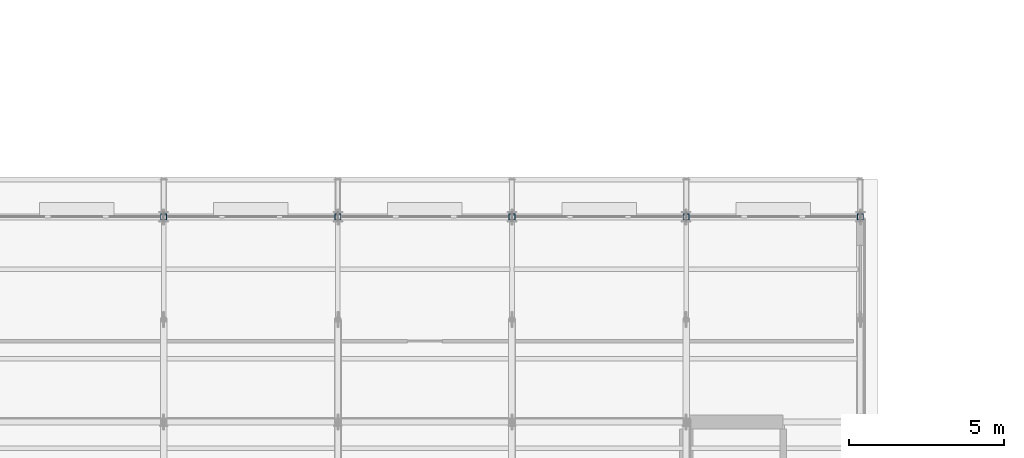
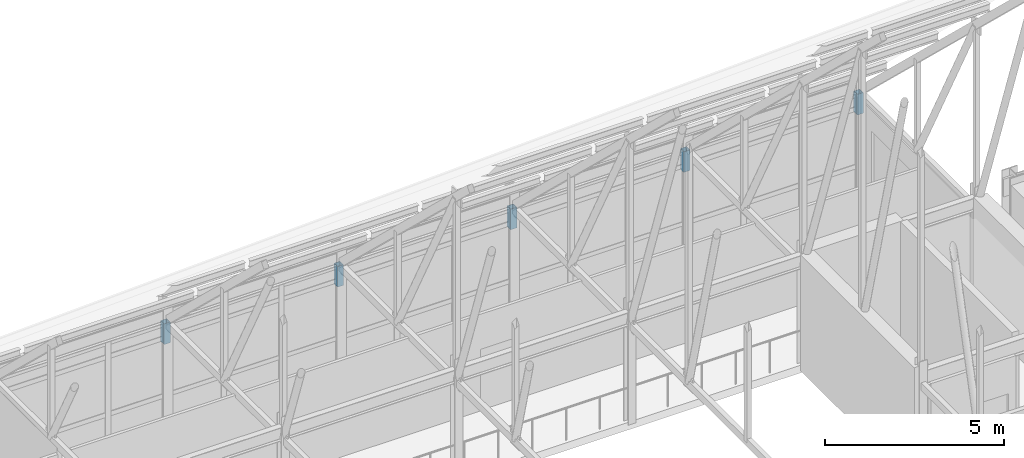
# One storey, part 90 of 144: 5 members.
"""IFC4 building model written with IfcOpenShell, lengths in metres."""

from ifc_helpers import new_model, si_unit, direction, frame, origin, origin_2d, place, context, subcontext, project, spatial, hollow_rectangle, extrude, material, material_profile, profile_set, type_object, element, save


model = new_model("IFC4")

# Units and contexts
model_context = context("Model", 3, precision=1e-05, world=origin(), true_north=direction((0.0, 1.0)))
body_context = subcontext(model_context, "Body", "Model", "MODEL_VIEW")
ifc_project = project(units=[si_unit("LENGTHUNIT", "METRE"), si_unit("AREAUNIT", "SQUARE_METRE"), si_unit("VOLUMEUNIT", "CUBIC_METRE"), si_unit("PLANEANGLEUNIT", "RADIAN"), si_unit("MASSUNIT", "GRAM", prefix="KILO")], contexts=[model_context])

# Site, building, storey
site_placement = place(None, origin())
site = spatial("IfcSite", under=ifc_project, at=site_placement, CompositionType="ELEMENT")
building_placement = place(site_placement, origin())
building = spatial("IfcBuilding", under=site, at=building_placement, Name="Trelmorton Wharf Fire Station", CompositionType="ELEMENT")
storey_placement = place(building_placement, frame((0.0, 0.0, 5.39990234375)))
storey = spatial("IfcBuildingStorey", under=building, at=storey_placement, Name="L01", CompositionType="ELEMENT", Elevation=5.39990234375)

# Members
ifc_material = material(Name="Steel C350L0 (350 MPa)", Category="steel")
ifc_material_profile = material_profile(ifc_material, hollow_rectangle(XDim=0.199951171875, YDim=0.199951171875, WallThickness=0.010009765625, at=origin_2d()), Name="200x200x10.0SHS")
ifc_profile_set = profile_set([ifc_material_profile], Name="Steel C350L0 (350 MPa)")
member_type = type_object("IfcMemberType", Name="TR_POST_200SHS", PredefinedType="POST", material=ifc_profile_set)
for number, where, z_axis, x_axis, name in (
    (1, (34.39990234375, 34.199951171875, 2.650146484375), (0.0, 0.0, 1.0), (1.0, 0.0, 0.0), "V1-TR07-SHN"),
    (2, (40.0, 34.199951171875, 2.650146484375), (0.0, 0.0, 1.0), (1.0, 0.0, 0.0), "V1-TR08-SHN"),
    (3, (45.60009765625, 34.199951171875, 2.650146484375), (0.0, 0.0, 1.0), (1.0, 0.0, 0.0), "V1-TR09-SHN"),
    (4, (51.199951171875, 34.199951171875, 2.650146484375), (0.0, 0.0, 1.0), (1.0, 0.0, 0.0), "V1-TR10-SHN"),
    (5, (56.800048828125, 34.199951171875, 2.650146484375), (0.0, 0.0, 1.0), (1.0, 0.0, 0.0), "V1-TR11-SHN"),
):
    element("IfcMember", number, at=place(storey_placement, frame(where, z_axis=z_axis, x_axis=x_axis)), inside=storey, type_object=member_type, Name=name, PredefinedType="POST", context=body_context, shape_type="SweptSolid", body=[
        extrude(hollow_rectangle(XDim=0.199951171875, YDim=0.199951171875, WallThickness=0.010009765625, at=origin_2d()), origin(), (0.0, 0.0, 1.0), 0.70166015625),
    ])

save(model, "model.ifc")
